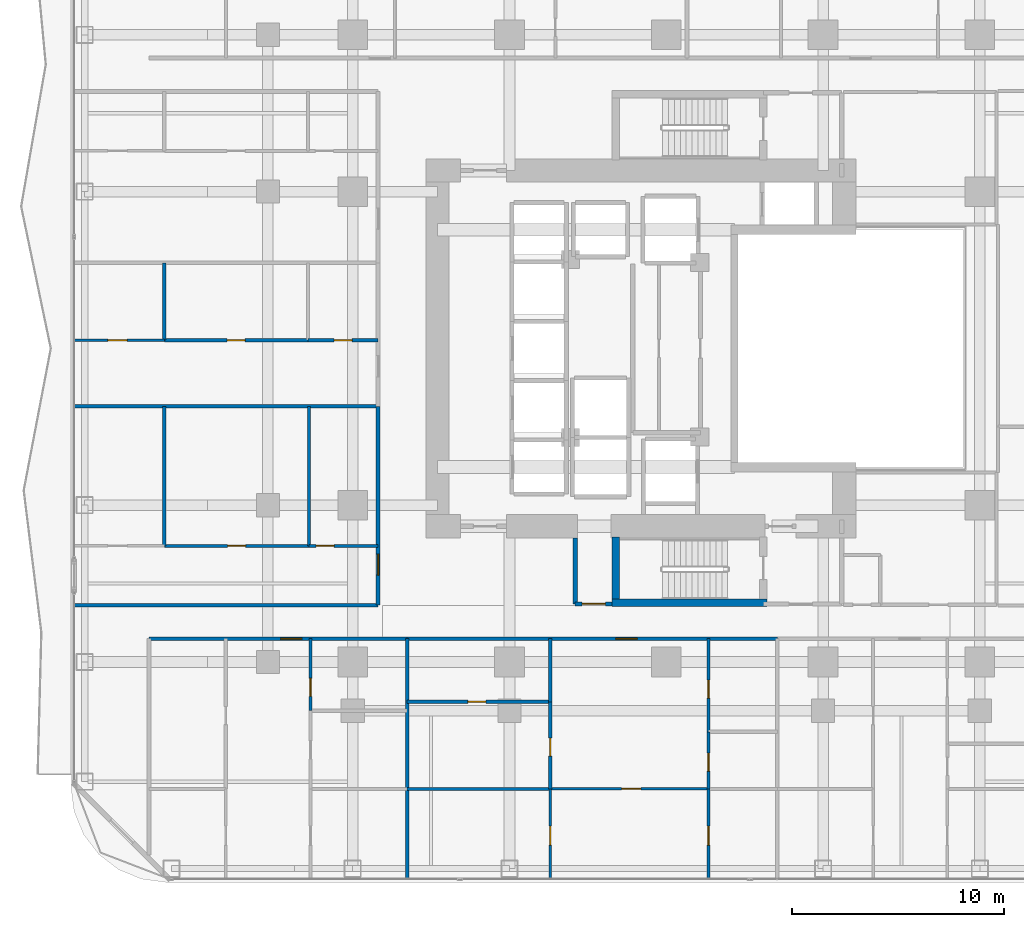
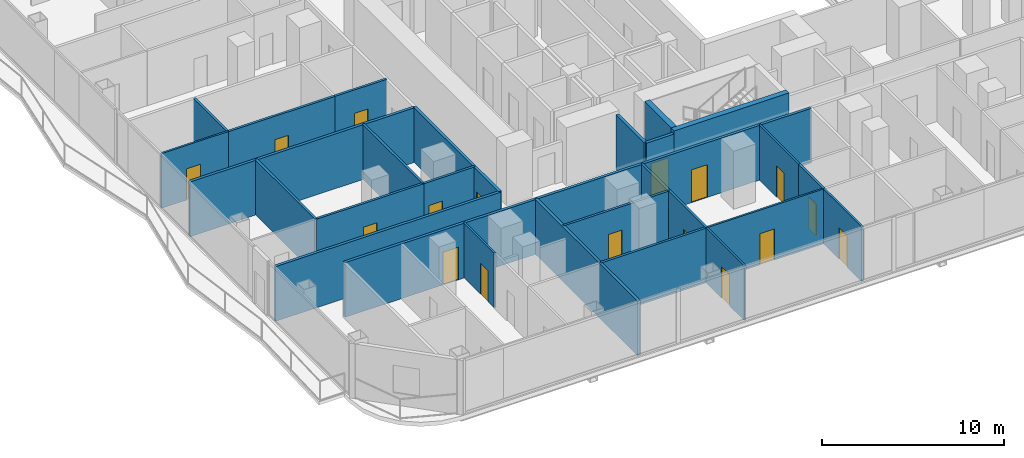
# One storey, part 20 of 29: 28 walls, 17 doors, 17 openings.
"""IFC4 building model written with IfcOpenShell, lengths in metres."""

from ifc_helpers import new_model, si_unit, direction, frame, frame_2d, origin, place, context, subcontext, project, spatial, rectangle, extrude, material, layer, layer_set, type_object, element, fill, save


model = new_model("IFC4")

# Units and contexts
model_context = context("Model", 3, precision=1e-05, world=origin(), true_north=direction((0.0, 1.0)))
body_context = subcontext(model_context, "Body", "Model", "MODEL_VIEW")
ifc_project = project(units=[si_unit("LENGTHUNIT", "METRE"), si_unit("AREAUNIT", "SQUARE_METRE"), si_unit("VOLUMEUNIT", "CUBIC_METRE"), si_unit("PLANEANGLEUNIT", "RADIAN"), si_unit("MASSUNIT", "GRAM", prefix="KILO")], contexts=[model_context])

# Site, building, storey
site_placement = place(None, origin())
site = spatial("IfcSite", under=ifc_project, at=site_placement, CompositionType="ELEMENT")
building_placement = place(site_placement, origin())
building = spatial("IfcBuilding", under=site, at=building_placement, Name="Khorvyn Point Tower", CompositionType="ELEMENT")
storey_placement = place(building_placement, frame((0.0, 0.0, 54.0)))
storey = spatial("IfcBuildingStorey", under=building, at=storey_placement, Name="L14", CompositionType="ELEMENT", Elevation=54.0)

# Wall, opening, door
ifc_material_1 = material(Name="Double acoustic gypsum on twin steel stud", Category="steel")
ifc_layer_1 = layer(ifc_material_1, 0.179931640625)
ifc_layer_set_1 = layer_set([ifc_layer_1], Name="Acoustic Double-Stud Apartment Demising Wall 180")
wall_type_1 = type_object("IfcWallType", Name="Acoustic Double-Stud Apartment Demising Wall 180", PredefinedType="PARTITIONING", material=ifc_layer_set_1)
wall_1_placement = place(storey_placement, frame((-24.419921875, -13.699951171875, 0.0), z_axis=(0.0, 0.0, 1.0), x_axis=(1.0, 0.0, 0.0)))
wall_1 = element("IfcWall", 1, at=wall_1_placement, inside=storey, type_object=wall_type_1, Name="Wall", PredefinedType="PARTITIONING", context=body_context, shape_type="SweptSolid", body=[
    extrude(rectangle(XDim=12.19482421875, YDim=0.179931640625, at=frame_2d((6.097412109375, 0.0))), origin(), (0.0, 0.0, 1.0), 3.679931640625),
])
opening_1_placement = place(wall_1_placement, frame((6.221435546875, 0.0, 0.0)))
opening_1 = element("IfcOpeningElement", 2, at=opening_1_placement, cuts=wall_1, Name="Opening ID-AP60", PredefinedType="OPENING", context=body_context, shape_type="SweptSolid", body=[
    extrude(rectangle(XDim=1.0, YDim=2.199951171875, at=frame_2d((0.5, 1.10009765625))), frame((0.0, 0.099853515625, 0.0), z_axis=(0.0, -1.0, 0.0), x_axis=(1.0, 0.0, 0.0)), (0.0, 0.0, 1.0), 0.199951171875),
])
ifc_material_2 = material(Name="Engineered hardwood fire-rated leaf", Category="wood")
door_type_1 = type_object("IfcDoorType", Name="Acoustic Solid-Core Timber Apartment Entrance Door 1000x2200", OperationType="NOTDEFINED", PredefinedType="DOOR", material=ifc_material_2)
door_1_placement = place(opening_1_placement, origin())
door_1 = element("IfcDoor", 3, at=door_1_placement, inside=storey, type_object=door_type_1, Name="Door", OperationType="SINGLE_SWING_RIGHT", OverallHeight=2.199951171875, OverallWidth=1.0, PredefinedType="DOOR", context=body_context, shape_type="SweptSolid", body=[
    extrude(rectangle(XDim=1.0, YDim=2.199951171875, at=frame_2d((0.5, 1.10009765625))), frame((0.0, 0.02490234375, 0.0), z_axis=(0.0, -1.0, 0.0), x_axis=(1.0, 0.0, 0.0)), (0.0, 0.0, 1.0), 0.050048828125),
])
fill(opening_1, door_1)

wall_2_placement = place(storey_placement, frame((-12.22509765625, -13.699951171875, 0.0), z_axis=(0.0, 0.0, 1.0), x_axis=(1.0, 0.0, 0.0)))
wall_2 = element("IfcWall", 4, at=wall_2_placement, inside=storey, type_object=wall_type_1, Name="Wall", PredefinedType="PARTITIONING", context=body_context, shape_type="SweptSolid", body=[
    extrude(rectangle(XDim=17.467041015625, YDim=0.179931640625, at=frame_2d((8.7333984375, 0.0))), origin(), (0.0, 0.0, 1.0), 3.679931640625),
])
opening_2_placement = place(wall_2_placement, frame((9.84814453125, 0.0, 0.0)))
opening_2 = element("IfcOpeningElement", 5, at=opening_2_placement, cuts=wall_2, Name="Opening ID-AP60", PredefinedType="OPENING", context=body_context, shape_type="SweptSolid", body=[
    extrude(rectangle(XDim=1.0, YDim=2.199951171875, at=frame_2d((0.5, 1.10009765625))), frame((0.0, 0.099853515625, 0.0), z_axis=(0.0, -1.0, 0.0), x_axis=(1.0, 0.0, 0.0)), (0.0, 0.0, 1.0), 0.199951171875),
])
door_2_placement = place(opening_2_placement, origin())
door_2 = element("IfcDoor", 6, at=door_2_placement, inside=storey, type_object=door_type_1, Name="Door", OperationType="SINGLE_SWING_RIGHT", OverallHeight=2.199951171875, OverallWidth=1.0, PredefinedType="DOOR", context=body_context, shape_type="SweptSolid", body=[
    extrude(rectangle(XDim=1.0, YDim=2.199951171875, at=frame_2d((0.5, 1.10009765625))), frame((0.0, 0.02490234375, 0.0), z_axis=(0.0, -1.0, 0.0), x_axis=(1.0, 0.0, 0.0)), (0.0, 0.0, 1.0), 0.050048828125),
])
fill(opening_2, door_2)

wall_3_placement = place(storey_placement, frame((-13.60009765625, -12.1201171875, 0.0), z_axis=(0.0, 0.0, 1.0), x_axis=(0.0, 1.0, 0.0)))
wall_3 = element("IfcWall", 7, at=wall_3_placement, inside=storey, type_object=wall_type_1, Name="Wall", PredefinedType="PARTITIONING", context=body_context, shape_type="SweptSolid", body=[
    extrude(rectangle(XDim=9.38916015625, YDim=0.179931640625, at=frame_2d((4.694580078125, 0.0))), origin(), (0.0, 0.0, 1.0), 3.679931640625),
])
opening_3_placement = place(wall_3_placement, frame((1.415283203125, 0.0, 0.0)))
opening_3 = element("IfcOpeningElement", 8, at=opening_3_placement, cuts=wall_3, Name="Opening ID-AP60", PredefinedType="OPENING", context=body_context, shape_type="SweptSolid", body=[
    extrude(rectangle(XDim=1.0, YDim=2.199951171875, at=frame_2d((0.5, 1.10009765625))), frame((0.0, 0.099853515625, 0.0), z_axis=(0.0, -1.0, 0.0), x_axis=(1.0, 0.0, 0.0)), (0.0, 0.0, 1.0), 0.199951171875),
])
door_3_placement = place(opening_3_placement, origin())
door_3 = element("IfcDoor", 9, at=door_3_placement, inside=storey, type_object=door_type_1, Name="Door", OperationType="SINGLE_SWING_RIGHT", OverallHeight=2.199951171875, OverallWidth=1.0, PredefinedType="DOOR", context=body_context, shape_type="SweptSolid", body=[
    extrude(rectangle(XDim=1.0, YDim=2.199951171875, at=frame_2d((0.5, 1.10009765625))), frame((0.0, 0.02490234375, 0.0), z_axis=(0.0, -1.0, 0.0), x_axis=(1.0, 0.0, 0.0)), (0.0, 0.0, 1.0), 0.050048828125),
])
fill(opening_3, door_3)

# Walls
wall_4_placement = place(storey_placement, frame((-12.22509765625, -25.030029296875, 0.0), z_axis=(0.0, 0.0, 1.0), x_axis=(0.0, 1.0, 0.0)))
element("IfcWall", 10, at=wall_4_placement, inside=storey, type_object=wall_type_1, Name="Wall", PredefinedType="PARTITIONING", context=body_context, shape_type="SweptSolid", body=[
    extrude(rectangle(XDim=11.330078125, YDim=0.179931640625, at=frame_2d((5.6650390625, 0.0))), origin(), (0.0, 0.0, 1.0), 3.679931640625),
])
for number, where, z_axis, x_axis, name in (
    (11, (-27.929931640625, -2.73095703125, 0.0), (0.0, 0.0, 1.0), (1.0, 0.0, 0.0), "Wall"),
    (12, (-27.929931640625, -12.1201171875, 0.0), (0.0, 0.0, 1.0), (1.0, 0.0, 0.0), "Wall"),
):
    element("IfcWall", number, at=place(storey_placement, frame(where, z_axis=z_axis, x_axis=x_axis)), inside=storey, type_object=wall_type_1, Name=name, PredefinedType="PARTITIONING", context=body_context, shape_type="SweptSolid", body=[
        extrude(rectangle(XDim=14.329833984375, YDim=0.179931640625, at=frame_2d((7.1650390625, 0.0))), origin(), (0.0, 0.0, 1.0), 3.679931640625),
    ])

# Wall, opening, door
ifc_material_3 = material(Name="Concrete C40/50", Category="concrete")
ifc_layer_2 = layer(ifc_material_3, 0.199951171875)
ifc_layer_set_2 = layer_set([ifc_layer_2], Name="Concrete C40/50 Fire-Lobby Compartment Wall 200")
wall_type_2 = type_object("IfcWallType", Name="Concrete C40/50 Fire-Lobby Compartment Wall 200", PredefinedType="SOLIDWALL", material=ifc_layer_set_2)
wall_5_placement = place(storey_placement, frame((-4.300048828125, -12.06005859375, 0.0), z_axis=(0.0, 0.0, 1.0), x_axis=(1.0, 0.0, 0.0)))
wall_5 = element("IfcWall", 13, at=wall_5_placement, inside=storey, type_object=wall_type_2, Name="Wall", PredefinedType="SOLIDWALL", context=body_context, shape_type="SweptSolid", body=[
    extrude(rectangle(XDim=1.75, YDim=0.199951171875, at=frame_2d((0.875, 0.0))), origin(), (0.0, 0.0, 1.0), 3.679931640625),
])
opening_4_placement = place(wall_5_placement, frame((0.324951171875, 0.0, 0.0)))
opening_4 = element("IfcOpeningElement", 14, at=opening_4_placement, cuts=wall_5, Name="Opening ID-FL90", PredefinedType="OPENING", context=body_context, shape_type="SweptSolid", body=[
    extrude(rectangle(XDim=1.10009765625, YDim=2.14990234375, at=frame_2d((0.550048828125, 1.074951171875))), frame((0.0, 0.10986328125, 0.0), z_axis=(0.0, -1.0, 0.0), x_axis=(1.0, 0.0, 0.0)), (0.0, 0.0, 1.0), 0.219970703125),
])
ifc_material_4 = material(Name="Galvanised powder-coated steel", Category="steel")
door_type_2 = type_object("IfcDoorType", Name="Fire-Rated Steel Lobby and Stair Door 1100x2150", OperationType="NOTDEFINED", PredefinedType="DOOR", material=ifc_material_4)
door_4_placement = place(opening_4_placement, origin())
door_4 = element("IfcDoor", 15, at=door_4_placement, inside=storey, type_object=door_type_2, Name="Door", OperationType="SINGLE_SWING_RIGHT", OverallHeight=2.14990234375, OverallWidth=1.10009765625, PredefinedType="DOOR", context=body_context, shape_type="SweptSolid", body=[
    extrude(rectangle(XDim=1.10009765625, YDim=2.14990234375, at=frame_2d((0.550048828125, 1.074951171875))), frame((0.0, 0.02490234375, 0.0), z_axis=(0.0, -1.0, 0.0), x_axis=(1.0, 0.0, 0.0)), (0.0, 0.0, 1.0), 0.050048828125),
])
fill(opening_4, door_4)

# Walls
wall_6_placement = place(storey_placement, frame((-4.300048828125, -12.06005859375, 0.0), z_axis=(0.0, 0.0, 1.0), x_axis=(0.0, 1.0, 0.0)))
element("IfcWall", 16, at=wall_6_placement, inside=storey, type_object=wall_type_2, Name="Wall", PredefinedType="SOLIDWALL", context=body_context, shape_type="SweptSolid", body=[
    extrude(rectangle(XDim=3.110107421875, YDim=0.199951171875, at=frame_2d((1.55517578125, 0.0))), origin(), (0.0, 0.0, 1.0), 3.679931640625),
])
ifc_layer_3 = layer(ifc_material_3, 0.35009765625)
ifc_layer_set_3 = layer_set([ifc_layer_3], Name="Concrete C40/50 Stair Shaft Structural Wall 350")
wall_type_3 = type_object("IfcWallType", Name="Concrete C40/50 Stair Shaft Structural Wall 350", PredefinedType="SHEAR", material=ifc_layer_set_3)
wall_7_placement = place(storey_placement, frame((-2.554931640625, -12.0, 0.0), z_axis=(0.0, 0.0, 1.0), x_axis=(1.0, 0.0, 0.0)))
element("IfcWall", 17, at=wall_7_placement, inside=storey, type_object=wall_type_3, Name="L14 ST-01 South Shaft Wall", PredefinedType="SHEAR", context=body_context, shape_type="SweptSolid", body=[
    extrude(rectangle(XDim=7.309814453125, YDim=0.35009765625, at=frame_2d((3.65478515625, 0.0))), origin(), (0.0, 0.0, 1.0), 3.89990234375),
])
wall_8_placement = place(storey_placement, frame((-2.3798828125, -11.824951171875, 0.0), z_axis=(0.0, 0.0, 1.0), x_axis=(0.0, 1.0, 0.0)))
element("IfcWall", 18, at=wall_8_placement, inside=storey, type_object=wall_type_3, Name="L14 ST-01 West Shaft Wall", PredefinedType="SHEAR", context=body_context, shape_type="SweptSolid", body=[
    extrude(rectangle(XDim=2.925048828125, YDim=0.35009765625, at=frame_2d((1.46240234375, 0.0))), origin(), (0.0, 0.0, 1.0), 3.89990234375),
])

# Wall, opening, door
ifc_material_5 = material(Name="Gypsum plasterboard on steel stud", Category="steel")
ifc_layer_4 = layer(ifc_material_5, 0.1201171875)
ifc_layer_set_4 = layer_set([ifc_layer_4], Name="Gypsum Acoustic Stud Room Partition Wall 120")
wall_type_4 = type_object("IfcWallType", Name="Gypsum Acoustic Stud Room Partition Wall 120", PredefinedType="PARTITIONING", material=ifc_layer_set_4)
wall_9_placement = place(storey_placement, frame((-16.791015625, -17.10009765625, 0.0), z_axis=(0.0, 0.0, 1.0), x_axis=(0.0, 1.0, 0.0)))
wall_9 = element("IfcWall", 19, at=wall_9_placement, inside=storey, type_object=wall_type_4, Name="Wall", PredefinedType="PARTITIONING", context=body_context, shape_type="SweptSolid", body=[
    extrude(rectangle(XDim=3.400146484375, YDim=0.1201171875, at=frame_2d((1.7001953125, 0.0))), origin(), (0.0, 0.0, 1.0), 3.679931640625),
])
opening_5_placement = place(wall_9_placement, frame((0.674560546875, 0.0, 0.0)))
opening_5 = element("IfcOpeningElement", 20, at=opening_5_placement, cuts=wall_9, Name="Opening ID-WC85", PredefinedType="OPENING", context=body_context, shape_type="SweptSolid", body=[
    extrude(rectangle(XDim=0.85009765625, YDim=2.10009765625, at=frame_2d((0.425048828125, 1.050048828125))), frame((0.0, 0.070068359375, 0.0), z_axis=(0.0, -1.0, 0.0), x_axis=(1.0, 0.0, 0.0)), (0.0, 0.0, 1.0), 0.14013671875),
])
ifc_material_6 = material(Name="High-pressure laminate on moisture-resistant core", Category="wood")
door_type_3 = type_object("IfcDoorType", Name="Moisture-Resistant Accessible Washroom Door 850x2100", OperationType="NOTDEFINED", PredefinedType="DOOR", material=ifc_material_6)
door_5_placement = place(opening_5_placement, origin())
door_5 = element("IfcDoor", 21, at=door_5_placement, inside=storey, type_object=door_type_3, Name="Door", OperationType="SINGLE_SWING_RIGHT", OverallHeight=2.10009765625, OverallWidth=0.85009765625, PredefinedType="DOOR", context=body_context, shape_type="SweptSolid", body=[
    extrude(rectangle(XDim=0.85009765625, YDim=2.10009765625, at=frame_2d((0.425048828125, 1.050048828125))), frame((0.0, 0.02490234375, 0.0), z_axis=(0.0, -1.0, 0.0), x_axis=(1.0, 0.0, 0.0)), (0.0, 0.0, 1.0), 0.050048828125),
])
fill(opening_5, door_5)

wall_10_placement = place(storey_placement, frame((-5.47705078125, -20.7900390625, 0.0), z_axis=(0.0, 0.0, 1.0), x_axis=(1.0, 0.0, 0.0)))
wall_10 = element("IfcWall", 22, at=wall_10_placement, inside=storey, type_object=wall_type_4, Name="Wall", PredefinedType="PARTITIONING", context=body_context, shape_type="SweptSolid", body=[
    extrude(rectangle(XDim=7.470947265625, YDim=0.1201171875, at=frame_2d((3.7353515625, 0.0))), origin(), (0.0, 0.0, 1.0), 3.679931640625),
])
opening_6_placement = place(wall_10_placement, frame((3.374755859375, 0.0, 0.0)))
opening_6 = element("IfcOpeningElement", 23, at=opening_6_placement, cuts=wall_10, Name="Opening ID-RM90", PredefinedType="OPENING", context=body_context, shape_type="SweptSolid", body=[
    extrude(rectangle(XDim=0.89990234375, YDim=2.10009765625, at=frame_2d((0.449951171875, 1.050048828125))), frame((0.0, 0.070068359375, 0.0), z_axis=(0.0, -1.0, 0.0), x_axis=(1.0, 0.0, 0.0)), (0.0, 0.0, 1.0), 0.14013671875),
])
ifc_material_7 = material(Name="Engineered oak veneer timber", Category="wood")
door_type_4 = type_object("IfcDoorType", Name="Flush Engineered Timber Room Door 900x2100", OperationType="NOTDEFINED", PredefinedType="DOOR", material=ifc_material_7)
door_6_placement = place(opening_6_placement, origin())
door_6 = element("IfcDoor", 24, at=door_6_placement, inside=storey, type_object=door_type_4, Name="Door", OperationType="SINGLE_SWING_LEFT", OverallHeight=2.10009765625, OverallWidth=0.89990234375, PredefinedType="DOOR", context=body_context, shape_type="SweptSolid", body=[
    extrude(rectangle(XDim=0.89990234375, YDim=2.10009765625, at=frame_2d((0.449951171875, 1.050048828125))), frame((0.0, 0.02490234375, 0.0), z_axis=(0.0, -1.0, 0.0), x_axis=(1.0, 0.0, 0.0)), (0.0, 0.0, 1.0), 0.050048828125),
])
fill(opening_6, door_6)

wall_11_placement = place(storey_placement, frame((-5.47705078125, -25.030029296875, 0.0), z_axis=(0.0, 0.0, 1.0), x_axis=(0.0, 1.0, 0.0)))
wall_11 = element("IfcWall", 25, at=wall_11_placement, inside=storey, type_object=wall_type_4, Name="Wall", PredefinedType="PARTITIONING", context=body_context, shape_type="SweptSolid", body=[
    extrude(rectangle(XDim=4.239990234375, YDim=0.1201171875, at=frame_2d((2.1201171875, 0.0))), origin(), (0.0, 0.0, 1.0), 3.679931640625),
])
opening_7_placement = place(wall_11_placement, frame((1.581298828125, 0.0, 0.0)))
opening_7 = element("IfcOpeningElement", 26, at=opening_7_placement, cuts=wall_11, Name="Opening ID-RM90", PredefinedType="OPENING", context=body_context, shape_type="SweptSolid", body=[
    extrude(rectangle(XDim=0.89990234375, YDim=2.10009765625, at=frame_2d((0.449951171875, 1.050048828125))), frame((0.0, 0.070068359375, 0.0), z_axis=(0.0, -1.0, 0.0), x_axis=(1.0, 0.0, 0.0)), (0.0, 0.0, 1.0), 0.14013671875),
])
door_7_placement = place(opening_7_placement, origin())
door_7 = element("IfcDoor", 27, at=door_7_placement, inside=storey, type_object=door_type_4, Name="Door", OperationType="SINGLE_SWING_RIGHT", OverallHeight=2.10009765625, OverallWidth=0.89990234375, PredefinedType="DOOR", context=body_context, shape_type="SweptSolid", body=[
    extrude(rectangle(XDim=0.89990234375, YDim=2.10009765625, at=frame_2d((0.449951171875, 1.050048828125))), frame((0.0, 0.02490234375, 0.0), z_axis=(0.0, -1.0, 0.0), x_axis=(1.0, 0.0, 0.0)), (0.0, 0.0, 1.0), 0.050048828125),
])
fill(opening_7, door_7)

wall_12_placement = place(storey_placement, frame((1.993896484375, -18.095947265625, 0.0), z_axis=(0.0, 0.0, 1.0), x_axis=(0.0, 1.0, 0.0)))
wall_12 = element("IfcWall", 28, at=wall_12_placement, inside=storey, type_object=wall_type_4, Name="Wall", PredefinedType="PARTITIONING", context=body_context, shape_type="SweptSolid", body=[
    extrude(rectangle(XDim=4.39599609375, YDim=0.1201171875, at=frame_2d((2.197998046875, 0.0))), origin(), (0.0, 0.0, 1.0), 3.679931640625),
])
opening_8_placement = place(wall_12_placement, frame((1.59375, 0.0, 0.0)))
opening_8 = element("IfcOpeningElement", 29, at=opening_8_placement, cuts=wall_12, Name="Opening ID-WC85", PredefinedType="OPENING", context=body_context, shape_type="SweptSolid", body=[
    extrude(rectangle(XDim=0.85009765625, YDim=2.10009765625, at=frame_2d((0.425048828125, 1.050048828125))), frame((0.0, 0.070068359375, 0.0), z_axis=(0.0, -1.0, 0.0), x_axis=(1.0, 0.0, 0.0)), (0.0, 0.0, 1.0), 0.14013671875),
])
door_8_placement = place(opening_8_placement, origin())
door_8 = element("IfcDoor", 30, at=door_8_placement, inside=storey, type_object=door_type_3, Name="Door", OperationType="SINGLE_SWING_RIGHT", OverallHeight=2.10009765625, OverallWidth=0.85009765625, PredefinedType="DOOR", context=body_context, shape_type="SweptSolid", body=[
    extrude(rectangle(XDim=0.85009765625, YDim=2.10009765625, at=frame_2d((0.425048828125, 1.050048828125))), frame((0.0, 0.02490234375, 0.0), z_axis=(0.0, -1.0, 0.0), x_axis=(1.0, 0.0, 0.0)), (0.0, 0.0, 1.0), 0.050048828125),
])
fill(opening_8, door_8)

wall_13_placement = place(storey_placement, frame((1.993896484375, -25.030029296875, 0.0), z_axis=(0.0, 0.0, 1.0), x_axis=(0.0, 1.0, 0.0)))
wall_13 = element("IfcWall", 31, at=wall_13_placement, inside=storey, type_object=wall_type_4, Name="Wall", PredefinedType="PARTITIONING", context=body_context, shape_type="SweptSolid", body=[
    extrude(rectangle(XDim=4.239990234375, YDim=0.1201171875, at=frame_2d((2.1201171875, 0.0))), origin(), (0.0, 0.0, 1.0), 3.679931640625),
])
opening_9_placement = place(wall_13_placement, frame((1.581298828125, 0.0, 0.0)))
opening_9 = element("IfcOpeningElement", 32, at=opening_9_placement, cuts=wall_13, Name="Opening ID-RM90", PredefinedType="OPENING", context=body_context, shape_type="SweptSolid", body=[
    extrude(rectangle(XDim=0.89990234375, YDim=2.10009765625, at=frame_2d((0.449951171875, 1.050048828125))), frame((0.0, 0.070068359375, 0.0), z_axis=(0.0, -1.0, 0.0), x_axis=(1.0, 0.0, 0.0)), (0.0, 0.0, 1.0), 0.14013671875),
])
door_9_placement = place(opening_9_placement, origin())
door_9 = element("IfcDoor", 33, at=door_9_placement, inside=storey, type_object=door_type_4, Name="Door", OperationType="SINGLE_SWING_LEFT", OverallHeight=2.10009765625, OverallWidth=0.89990234375, PredefinedType="DOOR", context=body_context, shape_type="SweptSolid", body=[
    extrude(rectangle(XDim=0.89990234375, YDim=2.10009765625, at=frame_2d((0.449951171875, 1.050048828125))), frame((0.0, 0.02490234375, 0.0), z_axis=(0.0, -1.0, 0.0), x_axis=(1.0, 0.0, 0.0)), (0.0, 0.0, 1.0), 0.050048828125),
])
fill(opening_9, door_9)

wall_14_placement = place(storey_placement, frame((-27.929931640625, 0.384033203125, 0.0), z_axis=(0.0, 0.0, 1.0), x_axis=(1.0, 0.0, 0.0)))
wall_14 = element("IfcWall", 34, at=wall_14_placement, inside=storey, type_object=wall_type_4, Name="Wall", PredefinedType="PARTITIONING", context=body_context, shape_type="SweptSolid", body=[
    extrude(rectangle(XDim=4.239990234375, YDim=0.1201171875, at=frame_2d((2.1201171875, 0.0))), origin(), (0.0, 0.0, 1.0), 3.679931640625),
])
opening_10_placement = place(wall_14_placement, frame((1.581298828125, 0.0, 0.0)))
opening_10 = element("IfcOpeningElement", 35, at=opening_10_placement, cuts=wall_14, Name="Opening ID-RM90", PredefinedType="OPENING", context=body_context, shape_type="SweptSolid", body=[
    extrude(rectangle(XDim=0.89990234375, YDim=2.10009765625, at=frame_2d((0.449951171875, 1.050048828125))), frame((0.0, 0.070068359375, 0.0), z_axis=(0.0, -1.0, 0.0), x_axis=(1.0, 0.0, 0.0)), (0.0, 0.0, 1.0), 0.14013671875),
])
door_10_placement = place(opening_10_placement, origin())
door_10 = element("IfcDoor", 36, at=door_10_placement, inside=storey, type_object=door_type_4, Name="Door", OperationType="SINGLE_SWING_LEFT", OverallHeight=2.10009765625, OverallWidth=0.89990234375, PredefinedType="DOOR", context=body_context, shape_type="SweptSolid", body=[
    extrude(rectangle(XDim=0.89990234375, YDim=2.10009765625, at=frame_2d((0.449951171875, 1.050048828125))), frame((0.0, 0.02490234375, 0.0), z_axis=(0.0, -1.0, 0.0), x_axis=(1.0, 0.0, 0.0)), (0.0, 0.0, 1.0), 0.050048828125),
])
fill(opening_10, door_10)

ifc_material_8 = material(Name="Moisture-resistant gypsum and cement board", Category="gypsum")
ifc_layer_5 = layer(ifc_material_8, 0.14990234375)
ifc_layer_set_5 = layer_set([ifc_layer_5], Name="Moisture-Resistant Wet-Room Partition Wall 150")
wall_type_5 = type_object("IfcWallType", Name="Moisture-Resistant Wet-Room Partition Wall 150", PredefinedType="PARTITIONING", material=ifc_layer_set_5)
wall_15_placement = place(storey_placement, frame((-5.47705078125, -20.7900390625, 0.0), z_axis=(0.0, 0.0, 1.0), x_axis=(0.0, 1.0, 0.0)))
wall_15 = element("IfcWall", 37, at=wall_15_placement, inside=storey, type_object=wall_type_5, Name="Wall", PredefinedType="PARTITIONING", context=body_context, shape_type="SweptSolid", body=[
    extrude(rectangle(XDim=4.112060546875, YDim=0.14990234375, at=frame_2d((2.05615234375, 0.0))), origin(), (0.0, 0.0, 1.0), 3.679931640625),
])
opening_11_placement = place(wall_15_placement, frame((1.54443359375, 0.0, 0.0)))
opening_11 = element("IfcOpeningElement", 38, at=opening_11_placement, cuts=wall_15, Name="Opening ID-WC85", PredefinedType="OPENING", context=body_context, shape_type="SweptSolid", body=[
    extrude(rectangle(XDim=0.85009765625, YDim=2.10009765625, at=frame_2d((0.425048828125, 1.050048828125))), frame((0.0, 0.0849609375, 0.0), z_axis=(0.0, -1.0, 0.0), x_axis=(1.0, 0.0, 0.0)), (0.0, 0.0, 1.0), 0.169921875),
])
door_11_placement = place(opening_11_placement, origin())
door_11 = element("IfcDoor", 39, at=door_11_placement, inside=storey, type_object=door_type_3, Name="Door", OperationType="SINGLE_SWING_RIGHT", OverallHeight=2.10009765625, OverallWidth=0.85009765625, PredefinedType="DOOR", context=body_context, shape_type="SweptSolid", body=[
    extrude(rectangle(XDim=0.85009765625, YDim=2.10009765625, at=frame_2d((0.425048828125, 1.050048828125))), frame((0.0, 0.02490234375, 0.0), z_axis=(0.0, -1.0, 0.0), x_axis=(1.0, 0.0, 0.0)), (0.0, 0.0, 1.0), 0.050048828125),
])
fill(opening_11, door_11)

# Wall
wall_16_placement = place(storey_placement, frame((-5.47705078125, -16.677978515625, 0.0), z_axis=(0.0, 0.0, 1.0), x_axis=(0.0, 1.0, 0.0)))
element("IfcWall", 40, at=wall_16_placement, inside=storey, type_object=wall_type_5, Name="Wall", PredefinedType="PARTITIONING", context=body_context, shape_type="SweptSolid", body=[
    extrude(rectangle(XDim=2.97802734375, YDim=0.14990234375, at=frame_2d((1.489013671875, 0.0))), origin(), (0.0, 0.0, 1.0), 3.679931640625),
])

# Wall, opening, door
wall_17_placement = place(storey_placement, frame((1.993896484375, -20.7900390625, 0.0), z_axis=(0.0, 0.0, 1.0), x_axis=(0.0, 1.0, 0.0)))
wall_17 = element("IfcWall", 41, at=wall_17_placement, inside=storey, type_object=wall_type_5, Name="Wall", PredefinedType="PARTITIONING", context=body_context, shape_type="SweptSolid", body=[
    extrude(rectangle(XDim=2.694091796875, YDim=0.14990234375, at=frame_2d((1.34716796875, 0.0))), origin(), (0.0, 0.0, 1.0), 3.679931640625),
])
opening_12_placement = place(wall_17_placement, frame((0.83740234375, 0.0, 0.0)))
opening_12 = element("IfcOpeningElement", 42, at=opening_12_placement, cuts=wall_17, Name="Opening ID-WC85", PredefinedType="OPENING", context=body_context, shape_type="SweptSolid", body=[
    extrude(rectangle(XDim=0.85009765625, YDim=2.10009765625, at=frame_2d((0.425048828125, 1.050048828125))), frame((0.0, 0.0849609375, 0.0), z_axis=(0.0, -1.0, 0.0), x_axis=(1.0, 0.0, 0.0)), (0.0, 0.0, 1.0), 0.169921875),
])
door_12_placement = place(opening_12_placement, origin())
door_12 = element("IfcDoor", 43, at=door_12_placement, inside=storey, type_object=door_type_3, Name="Door", OperationType="SINGLE_SWING_LEFT", OverallHeight=2.10009765625, OverallWidth=0.85009765625, PredefinedType="DOOR", context=body_context, shape_type="SweptSolid", body=[
    extrude(rectangle(XDim=0.85009765625, YDim=2.10009765625, at=frame_2d((0.425048828125, 1.050048828125))), frame((0.0, 0.02490234375, 0.0), z_axis=(0.0, -1.0, 0.0), x_axis=(1.0, 0.0, 0.0)), (0.0, 0.0, 1.0), 0.050048828125),
])
fill(opening_12, door_12)

wall_18_placement = place(storey_placement, frame((-23.68994140625, -9.320068359375, 0.0), z_axis=(0.0, 0.0, 1.0), x_axis=(1.0, 0.0, 0.0)))
wall_18 = element("IfcWall", 44, at=wall_18_placement, inside=storey, type_object=wall_type_5, Name="Wall", PredefinedType="PARTITIONING", context=body_context, shape_type="SweptSolid", body=[
    extrude(rectangle(XDim=6.826904296875, YDim=0.14990234375, at=frame_2d((3.41357421875, 0.0))), origin(), (0.0, 0.0, 1.0), 3.679931640625),
])
opening_13_placement = place(wall_18_placement, frame((2.988525390625, 0.0, 0.0)))
opening_13 = element("IfcOpeningElement", 45, at=opening_13_placement, cuts=wall_18, Name="Opening ID-WC85", PredefinedType="OPENING", context=body_context, shape_type="SweptSolid", body=[
    extrude(rectangle(XDim=0.85009765625, YDim=2.10009765625, at=frame_2d((0.425048828125, 1.050048828125))), frame((0.0, 0.0849609375, 0.0), z_axis=(0.0, -1.0, 0.0), x_axis=(1.0, 0.0, 0.0)), (0.0, 0.0, 1.0), 0.169921875),
])
door_13_placement = place(opening_13_placement, origin())
door_13 = element("IfcDoor", 46, at=door_13_placement, inside=storey, type_object=door_type_3, Name="Door", OperationType="SINGLE_SWING_LEFT", OverallHeight=2.10009765625, OverallWidth=0.85009765625, PredefinedType="DOOR", context=body_context, shape_type="SweptSolid", body=[
    extrude(rectangle(XDim=0.85009765625, YDim=2.10009765625, at=frame_2d((0.425048828125, 1.050048828125))), frame((0.0, 0.02490234375, 0.0), z_axis=(0.0, -1.0, 0.0), x_axis=(1.0, 0.0, 0.0)), (0.0, 0.0, 1.0), 0.050048828125),
])
fill(opening_13, door_13)

wall_19_placement = place(storey_placement, frame((-16.863037109375, -9.320068359375, 0.0), z_axis=(0.0, 0.0, 1.0), x_axis=(1.0, 0.0, 0.0)))
wall_19 = element("IfcWall", 47, at=wall_19_placement, inside=storey, type_object=wall_type_5, Name="Wall", PredefinedType="PARTITIONING", context=body_context, shape_type="SweptSolid", body=[
    extrude(rectangle(XDim=3.262939453125, YDim=0.14990234375, at=frame_2d((1.63134765625, 0.0))), origin(), (0.0, 0.0, 1.0), 3.679931640625),
])
opening_14_placement = place(wall_19_placement, frame((0.33447265625, 0.0, 0.0)))
opening_14 = element("IfcOpeningElement", 48, at=opening_14_placement, cuts=wall_19, Name="Opening ID-WC85", PredefinedType="OPENING", context=body_context, shape_type="SweptSolid", body=[
    extrude(rectangle(XDim=0.85009765625, YDim=2.10009765625, at=frame_2d((0.425048828125, 1.050048828125))), frame((0.0, 0.0849609375, 0.0), z_axis=(0.0, -1.0, 0.0), x_axis=(1.0, 0.0, 0.0)), (0.0, 0.0, 1.0), 0.169921875),
])
door_14_placement = place(opening_14_placement, origin())
door_14 = element("IfcDoor", 49, at=door_14_placement, inside=storey, type_object=door_type_3, Name="Door", OperationType="SINGLE_SWING_RIGHT", OverallHeight=2.10009765625, OverallWidth=0.85009765625, PredefinedType="DOOR", context=body_context, shape_type="SweptSolid", body=[
    extrude(rectangle(XDim=0.85009765625, YDim=2.10009765625, at=frame_2d((0.425048828125, 1.050048828125))), frame((0.0, 0.02490234375, 0.0), z_axis=(0.0, -1.0, 0.0), x_axis=(1.0, 0.0, 0.0)), (0.0, 0.0, 1.0), 0.050048828125),
])
fill(opening_14, door_14)

wall_20_placement = place(storey_placement, frame((-23.68994140625, 0.384033203125, 0.0), z_axis=(0.0, 0.0, 1.0), x_axis=(1.0, 0.0, 0.0)))
wall_20 = element("IfcWall", 50, at=wall_20_placement, inside=storey, type_object=wall_type_5, Name="Wall", PredefinedType="PARTITIONING", context=body_context, shape_type="SweptSolid", body=[
    extrude(rectangle(XDim=6.787841796875, YDim=0.14990234375, at=frame_2d((3.39404296875, 0.0))), origin(), (0.0, 0.0, 1.0), 3.679931640625),
])
opening_15_placement = place(wall_20_placement, frame((2.968994140625, 0.0, 0.0)))
opening_15 = element("IfcOpeningElement", 51, at=opening_15_placement, cuts=wall_20, Name="Opening ID-WC85", PredefinedType="OPENING", context=body_context, shape_type="SweptSolid", body=[
    extrude(rectangle(XDim=0.85009765625, YDim=2.10009765625, at=frame_2d((0.425048828125, 1.050048828125))), frame((0.0, 0.0849609375, 0.0), z_axis=(0.0, -1.0, 0.0), x_axis=(1.0, 0.0, 0.0)), (0.0, 0.0, 1.0), 0.169921875),
])
door_15_placement = place(opening_15_placement, origin())
door_15 = element("IfcDoor", 52, at=door_15_placement, inside=storey, type_object=door_type_3, Name="Door", OperationType="SINGLE_SWING_LEFT", OverallHeight=2.10009765625, OverallWidth=0.85009765625, PredefinedType="DOOR", context=body_context, shape_type="SweptSolid", body=[
    extrude(rectangle(XDim=0.85009765625, YDim=2.10009765625, at=frame_2d((0.425048828125, 1.050048828125))), frame((0.0, 0.02490234375, 0.0), z_axis=(0.0, -1.0, 0.0), x_axis=(1.0, 0.0, 0.0)), (0.0, 0.0, 1.0), 0.050048828125),
])
fill(opening_15, door_15)

wall_21_placement = place(storey_placement, frame((-16.902099609375, 0.384033203125, 0.0), z_axis=(0.0, 0.0, 1.0), x_axis=(1.0, 0.0, 0.0)))
wall_21 = element("IfcWall", 53, at=wall_21_placement, inside=storey, type_object=wall_type_5, Name="Wall", PredefinedType="PARTITIONING", context=body_context, shape_type="SweptSolid", body=[
    extrude(rectangle(XDim=3.302001953125, YDim=0.14990234375, at=frame_2d((1.65087890625, 0.0))), origin(), (0.0, 0.0, 1.0), 3.679931640625),
])
opening_16_placement = place(wall_21_placement, frame((1.22607421875, 0.0, 0.0)))
opening_16 = element("IfcOpeningElement", 54, at=opening_16_placement, cuts=wall_21, Name="Opening ID-WC85", PredefinedType="OPENING", context=body_context, shape_type="SweptSolid", body=[
    extrude(rectangle(XDim=0.85009765625, YDim=2.10009765625, at=frame_2d((0.425048828125, 1.050048828125))), frame((0.0, 0.0849609375, 0.0), z_axis=(0.0, -1.0, 0.0), x_axis=(1.0, 0.0, 0.0)), (0.0, 0.0, 1.0), 0.169921875),
])
door_16_placement = place(opening_16_placement, origin())
door_16 = element("IfcDoor", 55, at=door_16_placement, inside=storey, type_object=door_type_3, Name="Door", OperationType="SINGLE_SWING_RIGHT", OverallHeight=2.10009765625, OverallWidth=0.85009765625, PredefinedType="DOOR", context=body_context, shape_type="SweptSolid", body=[
    extrude(rectangle(XDim=0.85009765625, YDim=2.10009765625, at=frame_2d((0.425048828125, 1.050048828125))), frame((0.0, 0.02490234375, 0.0), z_axis=(0.0, -1.0, 0.0), x_axis=(1.0, 0.0, 0.0)), (0.0, 0.0, 1.0), 0.050048828125),
])
fill(opening_16, door_16)

wall_22_placement = place(storey_placement, frame((-12.22509765625, -16.677978515625, 0.0), z_axis=(0.0, 0.0, 1.0), x_axis=(1.0, 0.0, 0.0)))
wall_22 = element("IfcWall", 56, at=wall_22_placement, inside=storey, type_object=wall_type_5, Name="Wall", PredefinedType="PARTITIONING", context=body_context, shape_type="SweptSolid", body=[
    extrude(rectangle(XDim=6.748046875, YDim=0.14990234375, at=frame_2d((3.3740234375, 0.0))), origin(), (0.0, 0.0, 1.0), 3.679931640625),
])
opening_17_placement = place(wall_22_placement, frame((2.85888671875, 0.0, 0.0)))
opening_17 = element("IfcOpeningElement", 57, at=opening_17_placement, cuts=wall_22, Name="Opening ID-WC85", PredefinedType="OPENING", context=body_context, shape_type="SweptSolid", body=[
    extrude(rectangle(XDim=0.85009765625, YDim=2.10009765625, at=frame_2d((0.425048828125, 1.050048828125))), frame((0.0, 0.0849609375, 0.0), z_axis=(0.0, -1.0, 0.0), x_axis=(1.0, 0.0, 0.0)), (0.0, 0.0, 1.0), 0.169921875),
])
door_17_placement = place(opening_17_placement, origin())
door_17 = element("IfcDoor", 58, at=door_17_placement, inside=storey, type_object=door_type_3, Name="Door", OperationType="SINGLE_SWING_LEFT", OverallHeight=2.10009765625, OverallWidth=0.85009765625, PredefinedType="DOOR", context=body_context, shape_type="SweptSolid", body=[
    extrude(rectangle(XDim=0.85009765625, YDim=2.10009765625, at=frame_2d((0.425048828125, 1.050048828125))), frame((0.0, 0.02490234375, 0.0), z_axis=(0.0, -1.0, 0.0), x_axis=(1.0, 0.0, 0.0)), (0.0, 0.0, 1.0), 0.050048828125),
])
fill(opening_17, door_17)

# Walls
wall_23_placement = place(storey_placement, frame((-12.22509765625, -20.7900390625, 0.0), z_axis=(0.0, 0.0, 1.0), x_axis=(1.0, 0.0, 0.0)))
element("IfcWall", 59, at=wall_23_placement, inside=storey, type_object=wall_type_5, Name="Wall", PredefinedType="PARTITIONING", context=body_context, shape_type="SweptSolid", body=[
    extrude(rectangle(XDim=6.748046875, YDim=0.14990234375, at=frame_2d((3.3740234375, 0.0))), origin(), (0.0, 0.0, 1.0), 3.679931640625),
])
for number, where, z_axis, x_axis, name in (
    (60, (-16.863037109375, -9.320068359375, 0.0), (0.0, 0.0, 1.0), (0.0, 1.0, 0.0), "Wall"),
    (61, (-23.68994140625, -9.320068359375, 0.0), (0.0, 0.0, 1.0), (0.0, 1.0, 0.0), "Wall"),
):
    element("IfcWall", number, at=place(storey_placement, frame(where, z_axis=z_axis, x_axis=x_axis)), inside=storey, type_object=wall_type_5, Name=name, PredefinedType="PARTITIONING", context=body_context, shape_type="SweptSolid", body=[
        extrude(rectangle(XDim=6.589111328125, YDim=0.14990234375, at=frame_2d((3.29443359375, 0.0))), origin(), (0.0, 0.0, 1.0), 3.679931640625),
    ])
wall_24_placement = place(storey_placement, frame((-23.68994140625, 0.384033203125, 0.0), z_axis=(0.0, 0.0, 1.0), x_axis=(0.0, 1.0, 0.0)))
element("IfcWall", 62, at=wall_24_placement, inside=storey, type_object=wall_type_5, Name="Wall", PredefinedType="PARTITIONING", context=body_context, shape_type="SweptSolid", body=[
    extrude(rectangle(XDim=3.656005859375, YDim=0.14990234375, at=frame_2d((1.828125, 0.0))), origin(), (0.0, 0.0, 1.0), 3.679931640625),
])

save(model, "model.ifc")
